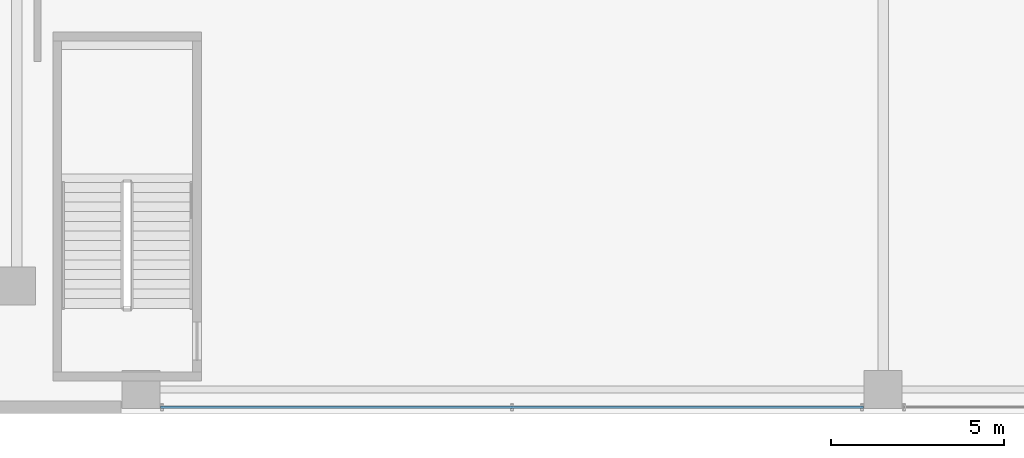
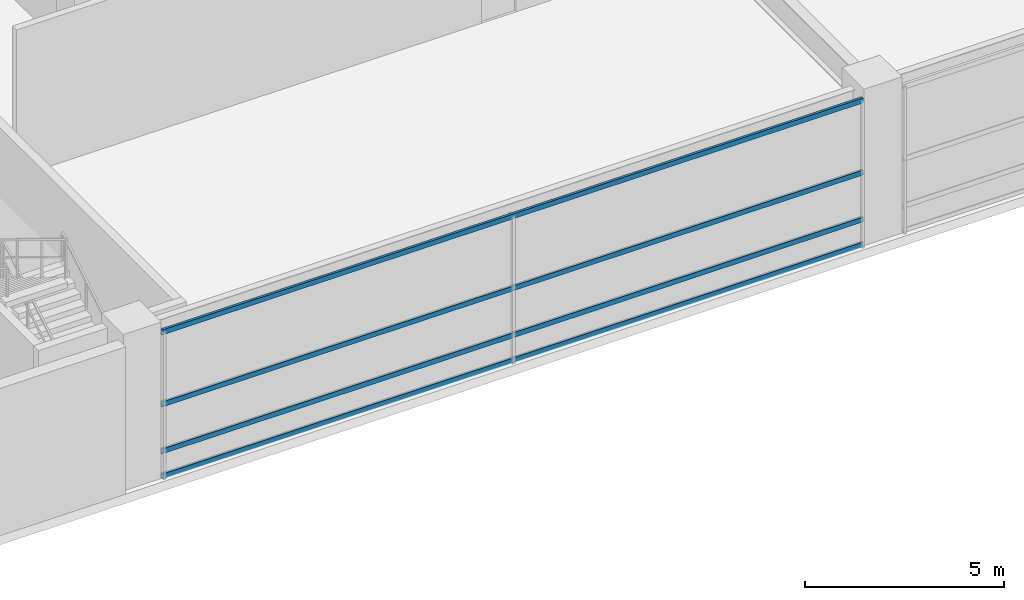
# One storey, part 8 of 38: 4 members, 1 element without a shape of its own.
"""IFC4 building model written with IfcOpenShell, lengths in metres."""

from ifc_helpers import new_model, si_unit, direction, frame, origin, origin_2d, place, context, subcontext, project, spatial, hollow_rectangle, extrude, source, transform, mapped, material, layer, layer_set, material_profile, profile_set, type_object, element, aggregate, save


model = new_model("IFC4")

# Units and contexts
model_context = context("Model", 3, precision=1e-05, world=origin(), true_north=direction((0.0, 1.0)))
body_context = subcontext(model_context, "Body", "Model", "MODEL_VIEW")
ifc_project = project(units=[si_unit("LENGTHUNIT", "METRE"), si_unit("AREAUNIT", "SQUARE_METRE"), si_unit("VOLUMEUNIT", "CUBIC_METRE"), si_unit("PLANEANGLEUNIT", "RADIAN"), si_unit("MASSUNIT", "GRAM", prefix="KILO"), si_unit("THERMODYNAMICTEMPERATUREUNIT", "KELVIN"), si_unit("POWERUNIT", "WATT")], contexts=[model_context])

# Site, building, storey
site_placement = place(None, origin())
site = spatial("IfcSite", under=ifc_project, at=site_placement, CompositionType="ELEMENT")
building_placement = place(site_placement, origin())
building = spatial("IfcBuilding", under=site, at=building_placement, Name="Yuzanri Waterfront Tower", CompositionType="ELEMENT")
storey_placement = place(building_placement, frame((0.0, 0.0, 10.199951171875)))
storey = spatial("IfcBuildingStorey", under=building, at=storey_placement, Name="L03", CompositionType="ELEMENT", Elevation=10.199951171875)

# Curtain wall, members
ifc_material_1 = material(Name="Anodized Architectural Bronze", Category="metal")
ifc_layer = layer(ifc_material_1, 0.159912109375)
ifc_layer_set = layer_set([ifc_layer], Name="Anodized Architectural Bronze")
curtain_wall_type = type_object("IfcCurtainWallType", Name="Anodized Bronze Podium Waterfront Double-Height Unitized Curtain Wall 8400", PredefinedType="NOTDEFINED", material=ifc_layer_set)
curtain_wall_placement = place(storey_placement, origin())
curtain_wall = element("IfcCurtainWall", 1, at=curtain_wall_placement, inside=storey, type_object=curtain_wall_type, Name="L03 Curtain Wall CW-L03-S1", PredefinedType="NOTDEFINED")
ifc_material_2 = material(Name="Anodized Architectural Bronze", Category="metal")
ifc_material_profile = material_profile(ifc_material_2, hollow_rectangle(XDim=0.074951171875, YDim=0.14990234375, WallThickness=0.00390625, at=origin_2d()), Name="CWT 75x150")
ifc_profile_set = profile_set([ifc_material_profile], Name="Anodized Architectural Bronze")
member_type = type_object("IfcMemberType", Name="Anodized Bronze Primary Curtain-Wall Transom 75x150", PredefinedType="USERDEFINED", material=ifc_profile_set)
shared_shape = source(origin(), body_context, "Body", "SweptSolid", [
    extrude(hollow_rectangle(XDim=0.074951171875, YDim=0.14990234375, WallThickness=0.00390625, at=origin_2d()), origin(), (0.0, 0.0, 1.0), 20.35986328125),
])
member_1_placement = place(storey_placement, frame((16.070068359375, 1.97998046875, 0.050048828125), z_axis=(1.0, 0.0, 0.0), x_axis=(0.0, 1.0, 0.0)))
member_1 = element("IfcMember", 2, at=member_1_placement, type_object=member_type, Name="CW-L03-S1 Transom 1", ObjectType="TRANSOM", PredefinedType="USERDEFINED", context=body_context, shape_type="MappedRepresentation", body=[
    mapped(shared_shape, transform((0.0, 0.0, 0.0), scale=1.0)),
])
member_2_placement = place(storey_placement, frame((16.070068359375, 1.97998046875, 0.820068359375), z_axis=(1.0, 0.0, 0.0), x_axis=(0.0, 1.0, 0.0)))
member_2 = element("IfcMember", 3, at=member_2_placement, type_object=member_type, Name="CW-L03-S1 Transom 2", ObjectType="TRANSOM", PredefinedType="USERDEFINED", context=body_context, shape_type="MappedRepresentation", body=[
    mapped(shared_shape, transform((0.0, 0.0, 0.0), scale=1.0)),
])
member_3_placement = place(storey_placement, frame((16.070068359375, 1.97998046875, 2.260009765625), z_axis=(1.0, 0.0, 0.0), x_axis=(0.0, 1.0, 0.0)))
member_3 = element("IfcMember", 4, at=member_3_placement, type_object=member_type, Name="CW-L03-S1 Transom 3", ObjectType="TRANSOM", PredefinedType="USERDEFINED", context=body_context, shape_type="MappedRepresentation", body=[
    mapped(shared_shape, transform((0.0, 0.0, 0.0), scale=1.0)),
])
member_4_placement = place(storey_placement, frame((16.070068359375, 1.97998046875, 4.469970703125), z_axis=(1.0, 0.0, 0.0), x_axis=(0.0, 1.0, 0.0)))
member_4 = element("IfcMember", 5, at=member_4_placement, type_object=member_type, Name="CW-L03-S1 Transom 4", ObjectType="TRANSOM", PredefinedType="USERDEFINED", context=body_context, shape_type="MappedRepresentation", body=[
    mapped(shared_shape, transform((0.0, 0.0, 0.0), scale=1.0)),
])
aggregate(curtain_wall, [member_1, member_2, member_3, member_4])

save(model, "model.ifc")
